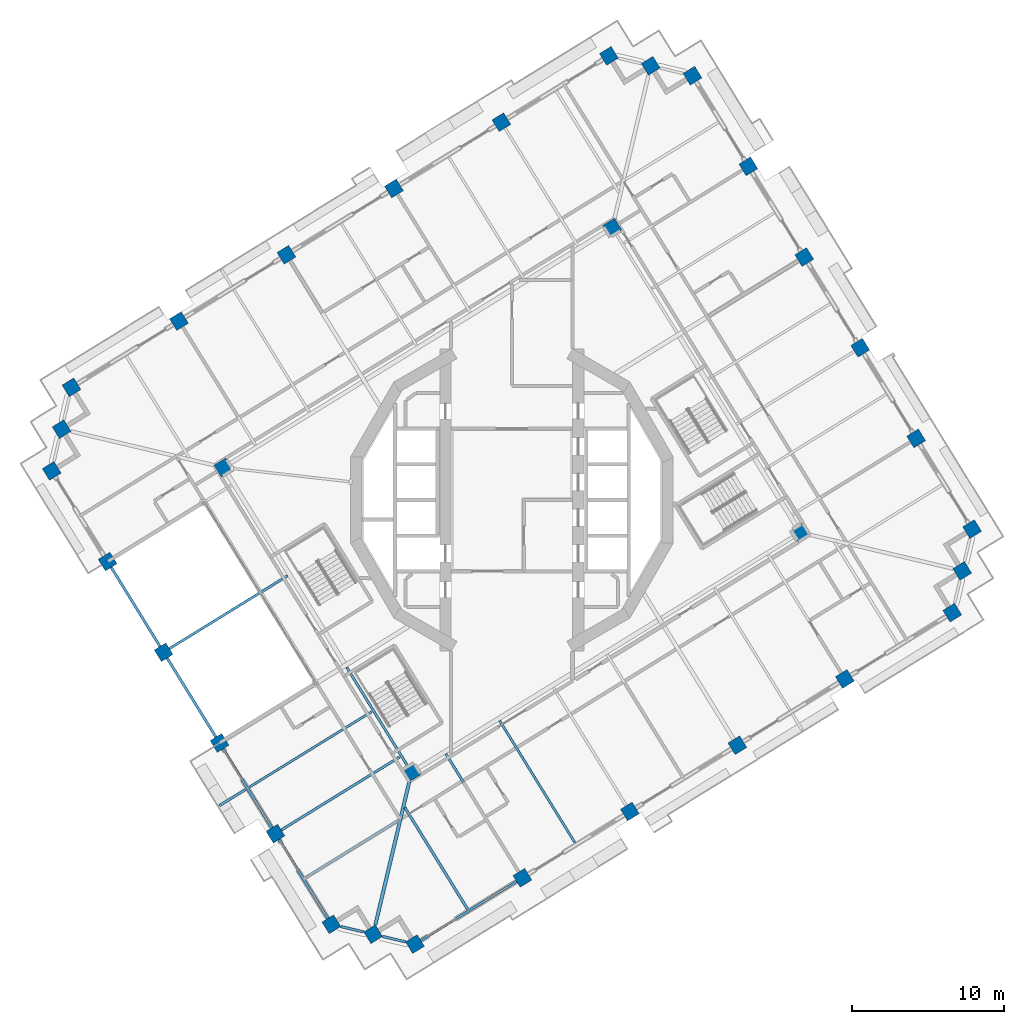
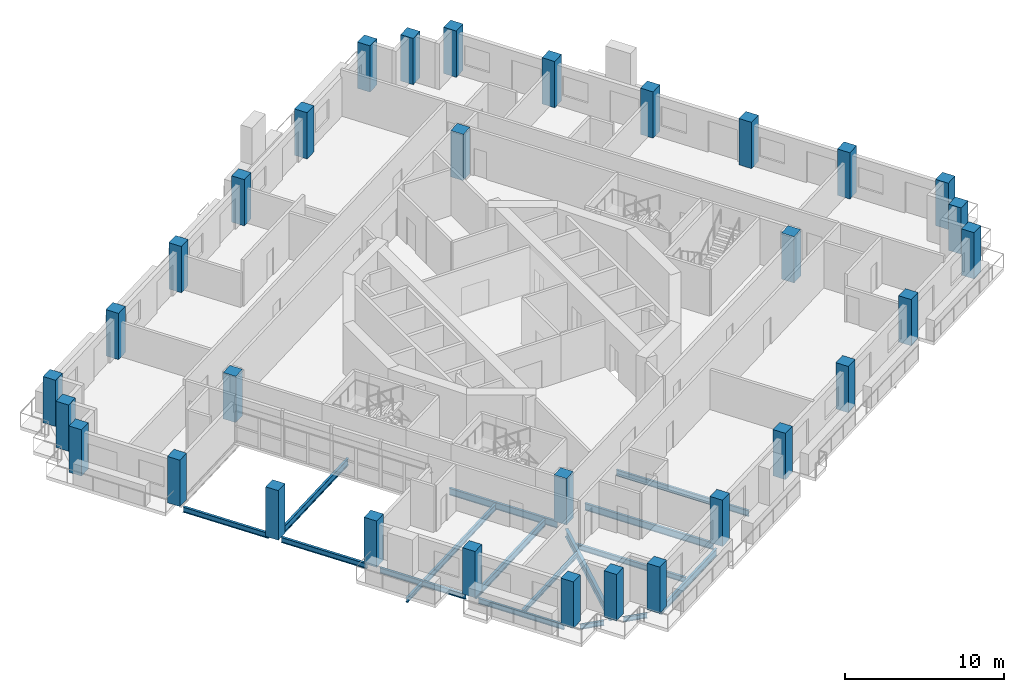
# One storey, part 1 of 20: 32 columns, 17 beams.
"""IFC4 building model written with IfcOpenShell, lengths in metres."""

from ifc_helpers import new_model, si_unit, direction, frame, origin, origin_2d, place, context, subcontext, project, spatial, rectangle, i_section, extrude, material, material_profile, profile_set, type_object, element, save


model = new_model("IFC4")

# Units and contexts
model_context = context("Model", 3, precision=1e-05, world=origin(), true_north=direction((0.0, 1.0)))
body_context = subcontext(model_context, "Body", "Model", "MODEL_VIEW")
ifc_project = project(units=[si_unit("LENGTHUNIT", "METRE"), si_unit("AREAUNIT", "SQUARE_METRE"), si_unit("VOLUMEUNIT", "CUBIC_METRE"), si_unit("PLANEANGLEUNIT", "RADIAN"), si_unit("MASSUNIT", "GRAM", prefix="KILO")], contexts=[model_context])

# Site, building, storey
site_placement = place(None, origin())
site = spatial("IfcSite", under=ifc_project, at=site_placement, CompositionType="ELEMENT")
building_placement = place(site_placement, origin())
building = spatial("IfcBuilding", under=site, at=building_placement, Name="Cantera Rosa Tower", CompositionType="ELEMENT")
storey_placement = place(building_placement, frame((0.0, 0.0, 155.199951171875)))
storey = spatial("IfcBuildingStorey", under=building, at=storey_placement, Name="L33", CompositionType="ELEMENT", Elevation=155.199951171875)

# Columns
ifc_material_1 = material(Name="Concrete C60/75", Category="concrete")
ifc_material_profile_1 = material_profile(ifc_material_1, rectangle(XDim=0.89990234375, YDim=0.89990234375, at=origin_2d()), Name="RC COLUMN RC900X900 C60/75")
ifc_profile_set_1 = profile_set([ifc_material_profile_1], Name="Concrete C60/75")
column_type_1 = type_object("IfcColumnType", Name="RC COLUMN RC900X900 C60/75", PredefinedType="COLUMN", material=ifc_profile_set_1)
for number, where, z_axis, x_axis, name in (
    (1, (30.321044921875, -1.917724609375, 0.0), (0.0, 0.0, 1.0), (0.851116672434, 0.52497658034, 0.0), "C-Z3-01 L33"),
    (2, (26.6357421875, 4.05712890625, 0.0), (0.0, 0.0, 1.0), (0.851116672434, 0.52497658034, 0.0), "C-Z3-02 L33"),
    (3, (22.950439453125, 10.031982421875, 0.0), (0.0, 0.0, 1.0), (0.851116672434, 0.52497658034, 0.0), "C-Z3-03 L33"),
    (4, (19.26513671875, 16.0068359375, 0.0), (0.0, 0.0, 1.0), (0.851116672434, 0.52497658034, 0.0), "C-Z3-04 L33"),
    (5, (15.57958984375, 21.981689453125, 0.0), (0.0, 0.0, 1.0), (0.851116672434, 0.52497658034, 0.0), "C-Z3-05 L33"),
    (6, (11.894287109375, 27.95654296875, 0.0), (0.0, 0.0, 1.0), (0.851116672434, 0.52497658034, 0.0), "C-Z3-06 L33"),
    (7, (9.14208984375, 28.60888671875, 0.0), (0.0, 0.0, 1.0), (0.851116672434, 0.52497658034, 0.0), "C-Z3-07 L33"),
    (8, (6.389892578125, 29.260986328125, 0.0), (0.0, 0.0, 1.0), (0.851116672434, 0.52497658034, 0.0), "C-Z3-08 L33"),
    (9, (-0.69140625, 24.893310546875, 0.0), (0.0, 0.0, 1.0), (0.851116672434, 0.52497658034, 0.0), "C-Z3-09 L33"),
    (10, (-7.772705078125, 20.525390625, 0.0), (0.0, 0.0, 1.0), (0.851116672434, 0.52497658034, 0.0), "C-Z3-10 L33"),
    (11, (-14.85400390625, 16.15771484375, 0.0), (0.0, 0.0, 1.0), (0.851116672434, 0.52497658034, 0.0), "C-Z3-11 L33"),
    (12, (-21.935302734375, 11.789794921875, 0.0), (0.0, 0.0, 1.0), (0.851116672434, 0.52497658034, 0.0), "C-Z3-12 L33"),
    (13, (-29.016357421875, 7.422119140625, 0.0), (0.0, 0.0, 1.0), (0.851116672434, 0.52497658034, 0.0), "C-Z3-13 L33"),
    (14, (-29.668701171875, 4.669921875, 0.0), (0.0, 0.0, 1.0), (0.851116672434, 0.52497658034, 0.0), "C-Z3-14 L33"),
    (15, (-30.321044921875, 1.917724609375, 0.0), (0.0, 0.0, 1.0), (0.851116672434, 0.52497658034, 0.0), "C-Z3-15 L33"),
    (16, (-26.6357421875, -4.05712890625, 0.0), (0.0, 0.0, 1.0), (0.851116672434, 0.52497658034, 0.0), "C-Z3-16 L33"),
):
    element("IfcColumn", number, at=place(storey_placement, frame(where, z_axis=z_axis, x_axis=x_axis)), inside=storey, type_object=column_type_1, Name=name, PredefinedType="COLUMN", context=body_context, shape_type="SweptSolid", body=[
        extrude(rectangle(XDim=0.89990234375, YDim=0.89990234375, at=origin_2d()), origin(), (0.0, 0.0, 1.0), 3.550048828125),
    ])
column_placement = place(storey_placement, frame((-22.950439453125, -10.031982421875, -0.25), z_axis=(0.0, 0.0, 1.0), x_axis=(0.851116672434, 0.52497658034, 0.0)))
element("IfcColumn", 17, at=column_placement, inside=storey, type_object=column_type_1, Name="C-Z3-17 L33", PredefinedType="COLUMN", context=body_context, shape_type="SweptSolid", body=[
    extrude(rectangle(XDim=0.89990234375, YDim=0.89990234375, at=origin_2d()), origin(), (0.0, 0.0, 1.0), 3.800048828125),
])
for number, where, z_axis, x_axis, name in (
    (18, (-19.26513671875, -16.0068359375, 0.0), (0.0, 0.0, 1.0), (0.851116672434, 0.52497658034, 0.0), "C-Z3-18 L33"),
    (19, (-15.57958984375, -21.981689453125, 0.0), (0.0, 0.0, 1.0), (0.851116672434, 0.52497658034, 0.0), "C-Z3-19 L33"),
    (20, (-11.894287109375, -27.95654296875, 0.0), (0.0, 0.0, 1.0), (0.851116672434, 0.52497658034, 0.0), "C-Z3-20 L33"),
    (21, (-9.14208984375, -28.60888671875, 0.0), (0.0, 0.0, 1.0), (0.851116672434, 0.52497658034, 0.0), "C-Z3-21 L33"),
    (22, (-6.389892578125, -29.260986328125, 0.0), (0.0, 0.0, 1.0), (0.851116672434, 0.52497658034, 0.0), "C-Z3-22 L33"),
    (23, (0.69140625, -24.893310546875, 0.0), (0.0, 0.0, 1.0), (0.851116672434, 0.52497658034, 0.0), "C-Z3-23 L33"),
    (24, (7.772705078125, -20.525390625, 0.0), (0.0, 0.0, 1.0), (0.851116672434, 0.52497658034, 0.0), "C-Z3-24 L33"),
    (25, (14.85400390625, -16.15771484375, 0.0), (0.0, 0.0, 1.0), (0.851116672434, 0.52497658034, 0.0), "C-Z3-25 L33"),
    (26, (21.935302734375, -11.789794921875, 0.0), (0.0, 0.0, 1.0), (0.851116672434, 0.52497658034, 0.0), "C-Z3-26 L33"),
    (27, (29.016357421875, -7.422119140625, 0.0), (0.0, 0.0, 1.0), (0.851116672434, 0.52497658034, 0.0), "C-Z3-27 L33"),
    (28, (29.668701171875, -4.669921875, 0.0), (0.0, 0.0, 1.0), (0.851116672434, 0.52497658034, 0.0), "C-Z3-28 L33"),
):
    element("IfcColumn", number, at=place(storey_placement, frame(where, z_axis=z_axis, x_axis=x_axis)), inside=storey, type_object=column_type_1, Name=name, PredefinedType="COLUMN", context=body_context, shape_type="SweptSolid", body=[
        extrude(rectangle(XDim=0.89990234375, YDim=0.89990234375, at=origin_2d()), origin(), (0.0, 0.0, 1.0), 3.550048828125),
    ])
ifc_material_2 = material(Name="Concrete C60/75", Category="concrete")
ifc_material_profile_2 = material_profile(ifc_material_2, rectangle(XDim=0.89990234375, YDim=0.89990234375, at=origin_2d()), Name="RC RING COLUMN RC900X900 C60/75")
ifc_profile_set_2 = profile_set([ifc_material_profile_2], Name="Concrete C60/75")
column_type_2 = type_object("IfcColumnType", Name="RC RING COLUMN RC900X900 C60/75", PredefinedType="COLUMN", material=ifc_profile_set_2)
for number, where, z_axis, x_axis, name in (
    (29, (6.614501953125, 17.944091796875, 0.0), (0.0, 0.0, 1.0), (0.851116672434, 0.52497658034, 0.0), "CI-Z3-1 L33"),
    (30, (-19.004150390625, 2.142333984375, 0.0), (0.0, 0.0, 1.0), (0.851116672434, 0.52497658034, 0.0), "CI-Z3-2 L33"),
    (31, (-6.614501953125, -17.944091796875, 0.0), (0.0, 0.0, 1.0), (0.851116672434, 0.52497658034, 0.0), "CI-Z3-3 L33"),
    (32, (19.004150390625, -2.142333984375, 0.0), (0.0, 0.0, 1.0), (0.851116672434, 0.52497658034, 0.0), "CI-Z3-4 L33"),
):
    element("IfcColumn", number, at=place(storey_placement, frame(where, z_axis=z_axis, x_axis=x_axis)), inside=storey, type_object=column_type_2, Name=name, PredefinedType="COLUMN", context=body_context, shape_type="SweptSolid", body=[
        extrude(rectangle(XDim=0.89990234375, YDim=0.89990234375, at=origin_2d()), origin(), (0.0, 0.0, 1.0), 3.550048828125),
    ])

# Beams
ifc_material_3 = material(Name="Steel ASTM A992 (Fy 345 MPa)", Category="steel")
ifc_material_profile_3 = material_profile(ifc_material_3, i_section(OverallWidth=0.166015625, OverallDepth=0.528076171875, WebThickness=0.009765625, FlangeThickness=0.013671875, FilletRadius=0.0126953125, at=origin_2d()), Name="W530X74")
ifc_profile_set_3 = profile_set([ifc_material_profile_3], Name="Steel ASTM A992 (Fy 345 MPa)")
beam_type_1 = type_object("IfcBeamType", Name="STEEL BEAM W530X74", PredefinedType="BEAM", material=ifc_profile_set_3)
beam_1_placement = place(storey_placement, frame((0.455078125, -24.51025390625, -0.513916015625), z_axis=(-0.524976979362, 0.851116426313, 0.0), x_axis=(-0.851116426313, -0.524976979362, 0.0)))
element("IfcBeam", 33, at=beam_1_placement, inside=storey, type_object=beam_type_1, Name="G-Z3-09 L33", PredefinedType="BEAM", context=body_context, shape_type="SweptSolid", body=[
    extrude(i_section(OverallWidth=0.166015625, OverallDepth=0.528076171875, WebThickness=0.009765625, FlangeThickness=0.013671875, FilletRadius=0.0126953125, at=origin_2d()), origin(), (0.0, 0.0, 1.0), 9.14990234375),
])
for number, where, z_axis, x_axis, name in (
    (34, (-22.5673828125, -9.795654296875, -0.513916015625), (0.851123779764, 0.524965057427, 0.0), (-0.524965057427, 0.851123779764, 0.0), "G-Z3-14 L33"),
    (35, (-15.19677734375, -21.745361328125, -0.513916015625), (0.851123779764, 0.524965057427, 0.0), (-0.524965057427, 0.851123779764, 0.0), "G-Z3-16 L33"),
):
    element("IfcBeam", number, at=place(storey_placement, frame(where, z_axis=z_axis, x_axis=x_axis)), inside=storey, type_object=beam_type_1, Name=name, PredefinedType="BEAM", context=body_context, shape_type="SweptSolid", body=[
        extrude(i_section(OverallWidth=0.166015625, OverallDepth=0.528076171875, WebThickness=0.009765625, FlangeThickness=0.013671875, FilletRadius=0.0126953125, at=origin_2d()), origin(), (0.0, 0.0, 1.0), 9.150146484375),
    ])
beam_2_placement = place(storey_placement, frame((-6.850830078125, -17.56103515625, -0.513916015625), z_axis=(-0.52497571981, 0.851117203216, 0.0), x_axis=(-0.851117203216, -0.52497571981, 0.0)))
element("IfcBeam", 36, at=beam_2_placement, inside=storey, type_object=beam_type_1, Name="RB-Z3-07 L33", PredefinedType="BEAM", context=body_context, shape_type="SweptSolid", body=[
    extrude(i_section(OverallWidth=0.166015625, OverallDepth=0.528076171875, WebThickness=0.009765625, FlangeThickness=0.013671875, FilletRadius=0.0126953125, at=origin_2d()), origin(), (0.0, 0.0, 1.0), 7.690185546875),
])
ifc_material_4 = material(Name="Steel ASTM A992 (Fy 345 MPa)", Category="steel")
ifc_material_profile_4 = material_profile(ifc_material_4, i_section(OverallWidth=0.22802734375, OverallDepth=0.60205078125, WebThickness=0.010498046875, FlangeThickness=0.014892578125, FilletRadius=0.0126953125, at=origin_2d()), Name="W610X101")
ifc_profile_set_4 = profile_set([ifc_material_profile_4], Name="Steel ASTM A992 (Fy 345 MPa)")
beam_type_2 = type_object("IfcBeamType", Name="STEEL BEAM W610X101", PredefinedType="BEAM", material=ifc_profile_set_4)
beam_3_placement = place(storey_placement, frame((-8.995361328125, -27.989501953125, -0.551025390625), z_axis=(0.230622120091, 0.973043389436, 0.0), x_axis=(-0.973043389436, 0.230622120091, 0.0)))
element("IfcBeam", 37, at=beam_3_placement, inside=storey, type_object=beam_type_2, Name="CB-Z3-03 L33", PredefinedType="BEAM", context=body_context, shape_type="SweptSolid", body=[
    extrude(i_section(OverallWidth=0.22802734375, OverallDepth=0.60205078125, WebThickness=0.010498046875, FlangeThickness=0.014892578125, FilletRadius=0.0126953125, at=origin_2d()), origin(), (0.0, 0.0, 1.0), 9.6875),
])
ifc_material_5 = material(Name="Steel ASTM A992 (Fy 345 MPa)", Category="steel")
ifc_material_profile_5 = material_profile(ifc_material_5, i_section(OverallWidth=0.1708984375, OverallDepth=0.35595703125, WebThickness=0.00732421875, FlangeThickness=0.01171875, FilletRadius=0.010009765625, at=origin_2d()), Name="W360X51")
ifc_profile_set_5 = profile_set([ifc_material_profile_5], Name="Steel ASTM A992 (Fy 345 MPa)")
beam_type_3 = type_object("IfcBeamType", Name="STEEL JOIST W360X51", PredefinedType="JOIST", material=ifc_profile_set_5)
beam_4_placement = place(storey_placement, frame((-13.609375, -24.890380859375, -0.427978515625), z_axis=(0.851109089911, 0.524988873283, 0.0), x_axis=(-0.524988873283, 0.851109089911, 0.0)))
element("IfcBeam", 38, at=beam_4_placement, inside=storey, type_object=beam_type_3, Name="B-Z3-20 L33", PredefinedType="JOIST", context=body_context, shape_type="SweptSolid", body=[
    extrude(i_section(OverallWidth=0.1708984375, OverallDepth=0.35595703125, WebThickness=0.00732421875, FlangeThickness=0.01171875, FilletRadius=0.010009765625, at=origin_2d()), origin(), (0.0, 0.0, 1.0), 7.2099609375),
])
beam_5_placement = place(storey_placement, frame((-17.532958984375, -19.0625, -0.427978515625), z_axis=(-0.85112012236, -0.524970987116, 0.0), x_axis=(0.524970987116, -0.85112012236, 0.0)))
element("IfcBeam", 39, at=beam_5_placement, inside=storey, type_object=beam_type_3, Name="BS-Z3-04 L33", PredefinedType="JOIST", context=body_context, shape_type="SweptSolid", body=[
    extrude(i_section(OverallWidth=0.1708984375, OverallDepth=0.35595703125, WebThickness=0.00732421875, FlangeThickness=0.01171875, FilletRadius=0.010009765625, at=origin_2d()), origin(), (0.0, 0.0, 1.0), 2.0419921875),
])
ifc_material_6 = material(Name="Steel ASTM A992 (Fy 345 MPa)", Category="steel")
ifc_material_profile_6 = material_profile(ifc_material_6, i_section(OverallWidth=0.177978515625, OverallDepth=0.406005859375, WebThickness=0.0078125, FlangeThickness=0.0126953125, FilletRadius=0.01025390625, at=origin_2d()), Name="W410X60")
ifc_profile_set_6 = profile_set([ifc_material_profile_6], Name="Steel ASTM A992 (Fy 345 MPa)")
beam_type_4 = type_object("IfcBeamType", Name="STEEL JOIST W410X60", PredefinedType="JOIST", material=ifc_profile_set_6)
beam_6_placement = place(storey_placement, frame((-2.927978515625, -26.949462890625, -0.452880859375), z_axis=(-0.524994840515, 0.85110540912, 0.0), x_axis=(-0.85110540912, -0.524994840515, 0.0)))
element("IfcBeam", 40, at=beam_6_placement, inside=storey, type_object=beam_type_4, Name="B-Z3-11 L33", PredefinedType="JOIST", context=body_context, shape_type="SweptSolid", body=[
    extrude(i_section(OverallWidth=0.177978515625, OverallDepth=0.406005859375, WebThickness=0.0078125, FlangeThickness=0.0126953125, FilletRadius=0.01025390625, at=origin_2d()), origin(), (0.0, 0.0, 1.0), 7.860107421875),
])
ifc_material_7 = material(Name="Steel ASTM A992 (Fy 345 MPa)", Category="steel")
ifc_material_profile_7 = material_profile(ifc_material_7, i_section(OverallWidth=0.154052734375, OverallDepth=0.4599609375, WebThickness=0.009033203125, FlangeThickness=0.015380859375, FilletRadius=0.01025390625, at=origin_2d()), Name="W460X68")
ifc_profile_set_7 = profile_set([ifc_material_profile_7], Name="Steel ASTM A992 (Fy 345 MPa)")
beam_type_5 = type_object("IfcBeamType", Name="STEEL JOIST W460X68", PredefinedType="JOIST", material=ifc_profile_set_7)
beam_7_placement = place(storey_placement, frame((4.1533203125, -22.581787109375, -0.47998046875), z_axis=(-0.524980724235, 0.851114116427, 0.0), x_axis=(-0.851114116427, -0.524980724235, 0.0)))
element("IfcBeam", 41, at=beam_7_placement, inside=storey, type_object=beam_type_5, Name="B-Z3-12 L33", PredefinedType="JOIST", context=body_context, shape_type="SweptSolid", body=[
    extrude(i_section(OverallWidth=0.154052734375, OverallDepth=0.4599609375, WebThickness=0.009033203125, FlangeThickness=0.015380859375, FilletRadius=0.01025390625, at=origin_2d()), origin(), (0.0, 0.0, 1.0), 9.4501953125),
])
beam_8_placement = place(storey_placement, frame((-17.294677734375, -18.91552734375, -0.47998046875), z_axis=(0.851118539758, 0.524973552935, 0.0), x_axis=(-0.524973552935, 0.851118539758, 0.0)))
element("IfcBeam", 42, at=beam_8_placement, inside=storey, type_object=beam_type_5, Name="B-Z3-19 L33", PredefinedType="JOIST", context=body_context, shape_type="SweptSolid", body=[
    extrude(i_section(OverallWidth=0.154052734375, OverallDepth=0.4599609375, WebThickness=0.009033203125, FlangeThickness=0.015380859375, FilletRadius=0.01025390625, at=origin_2d()), origin(), (0.0, 0.0, 1.0), 9.449951171875),
])
ifc_material_8 = material(Name="Steel ASTM A992 (Fy 345 MPa)", Category="steel")
ifc_material_profile_8 = material_profile(ifc_material_8, i_section(OverallWidth=0.1708984375, OverallDepth=0.35595703125, WebThickness=0.00732421875, FlangeThickness=0.01171875, FilletRadius=0.010009765625, at=origin_2d()), Name="W360X51")
ifc_profile_set_8 = profile_set([ifc_material_profile_8], Name="Steel ASTM A992 (Fy 345 MPa)")
beam_type_6 = type_object("IfcBeamType", Name="STEEL SPANDREL BEAM W360X51", PredefinedType="SPANDREL", material=ifc_profile_set_8)
for number, where, z_axis, x_axis, name in (
    (43, (-11.275146484375, -28.103271484375, -0.427978515625), (0.973059906546, -0.230552419793, 0.0), (0.230552419793, 0.973059906546, 0.0), "EB-Z3-20 L33"),
    (44, (-8.52294921875, -28.755615234375, -0.427978515625), (0.973059906546, -0.230552419793, 0.0), (0.230552419793, 0.973059906546, 0.0), "EB-Z3-21 L33"),
):
    element("IfcBeam", number, at=place(storey_placement, frame(where, z_axis=z_axis, x_axis=x_axis)), inside=storey, type_object=beam_type_6, Name=name, PredefinedType="SPANDREL", context=body_context, shape_type="SweptSolid", body=[
        extrude(i_section(OverallWidth=0.1708984375, OverallDepth=0.35595703125, WebThickness=0.00732421875, FlangeThickness=0.01171875, FilletRadius=0.010009765625, at=origin_2d()), origin(), (0.0, 0.0, 1.0), 1.5556640625),
    ])
ifc_material_9 = material(Name="Steel ASTM A992 (Fy 345 MPa)", Category="steel")
ifc_material_profile_9 = material_profile(ifc_material_9, i_section(OverallWidth=0.177978515625, OverallDepth=0.406005859375, WebThickness=0.0078125, FlangeThickness=0.0126953125, FilletRadius=0.01025390625, at=origin_2d()), Name="W410X60")
ifc_profile_set_9 = profile_set([ifc_material_profile_9], Name="Steel ASTM A992 (Fy 345 MPa)")
beam_type_7 = type_object("IfcBeamType", Name="STEEL SPANDREL BEAM W410X60", PredefinedType="SPANDREL", material=ifc_profile_set_9)
for number, where, z_axis, x_axis, name in (
    (45, (-26.3994140625, -4.440185546875, -0.452880859375), (0.524987447654, -0.851109969279, 0.0), (0.851109969279, 0.524987447654, 0.0), "EB-Z3-16 L33"),
    (46, (-22.714111328125, -10.4150390625, -0.452880859375), (0.524987447654, -0.851109969279, 0.0), (0.851109969279, 0.524987447654, 0.0), "EB-Z3-17 L33"),
    (47, (-19.02880859375, -16.389892578125, -0.452880859375), (0.524987447654, -0.851109969279, 0.0), (0.851109969279, 0.524987447654, 0.0), "EB-Z3-18 L33"),
    (48, (-15.343505859375, -22.36474609375, -0.452880859375), (0.524987447654, -0.851109969279, 0.0), (0.851109969279, 0.524987447654, 0.0), "EB-Z3-19 L33"),
):
    element("IfcBeam", number, at=place(storey_placement, frame(where, z_axis=z_axis, x_axis=x_axis)), inside=storey, type_object=beam_type_7, Name=name, PredefinedType="SPANDREL", context=body_context, shape_type="SweptSolid", body=[
        extrude(i_section(OverallWidth=0.177978515625, OverallDepth=0.406005859375, WebThickness=0.0078125, FlangeThickness=0.0126953125, FilletRadius=0.01025390625, at=origin_2d()), origin(), (0.0, 0.0, 1.0), 6.119873046875),
    ])
ifc_material_10 = material(Name="Steel ASTM A992 (Fy 345 MPa)", Category="steel")
ifc_material_profile_10 = material_profile(ifc_material_10, i_section(OverallWidth=0.166015625, OverallDepth=0.528076171875, WebThickness=0.009765625, FlangeThickness=0.013671875, FilletRadius=0.0126953125, at=origin_2d()), Name="W530X74")
ifc_profile_set_10 = profile_set([ifc_material_profile_10], Name="Steel ASTM A992 (Fy 345 MPa)")
beam_type_8 = type_object("IfcBeamType", Name="STEEL SPANDREL BEAM W530X74", PredefinedType="SPANDREL", material=ifc_profile_set_10)
beam_9_placement = place(storey_placement, frame((-6.007080078125, -29.02490234375, -0.513916015625), z_axis=(0.851111085575, 0.524985637909, 0.0), x_axis=(-0.524985637909, 0.851111085575, 0.0)))
element("IfcBeam", 49, at=beam_9_placement, inside=storey, type_object=beam_type_8, Name="EB-Z3-22 L33", PredefinedType="SPANDREL", context=body_context, shape_type="SweptSolid", body=[
    extrude(i_section(OverallWidth=0.166015625, OverallDepth=0.528076171875, WebThickness=0.009765625, FlangeThickness=0.013671875, FilletRadius=0.0126953125, at=origin_2d()), origin(), (0.0, 0.0, 1.0), 7.420166015625),
])

save(model, "model.ifc")
